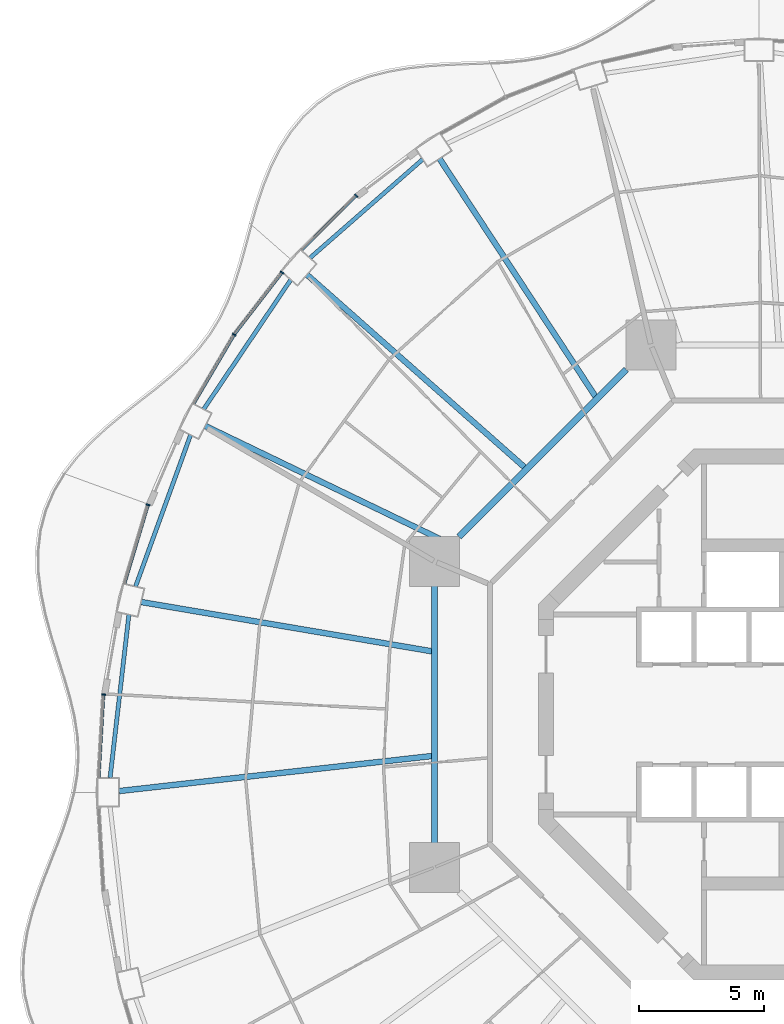
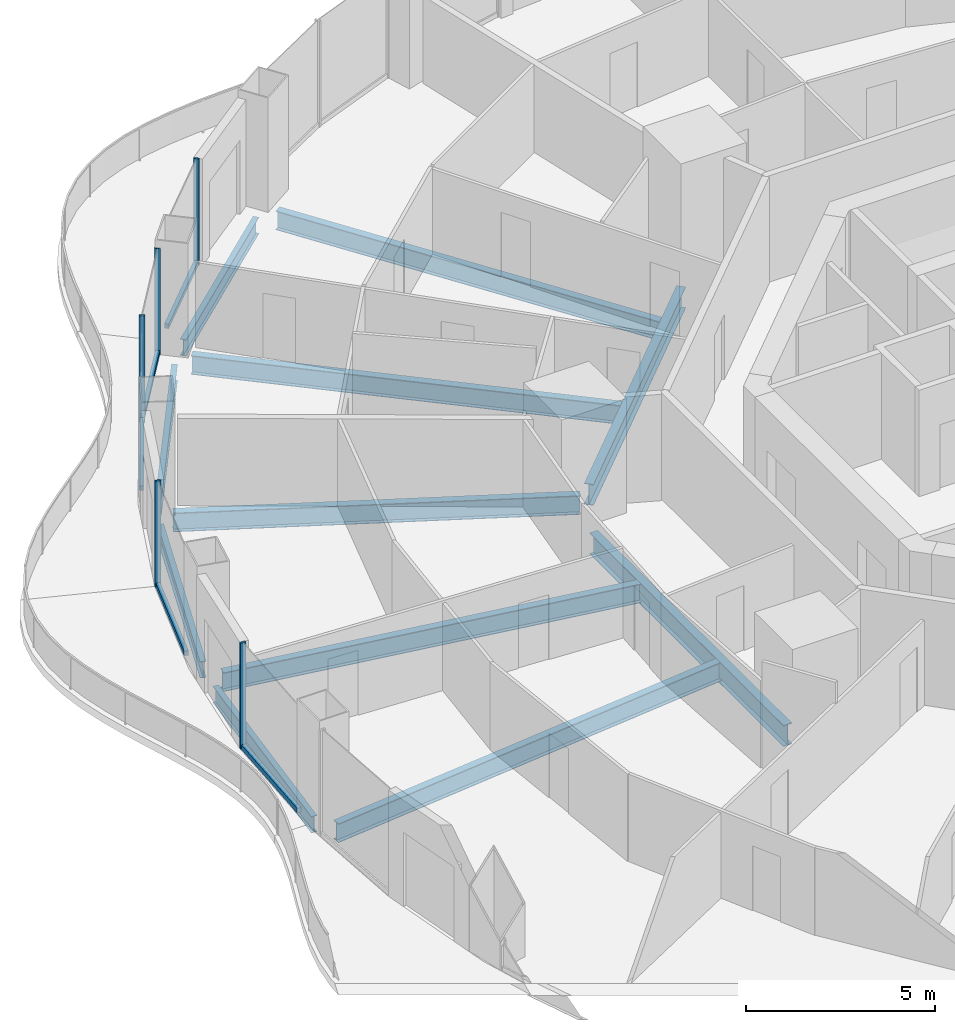
# One storey, part 7 of 21: 11 beams, 10 members, 5 elements without a shape of their own.
"""IFC4 building model written with IfcOpenShell, lengths in metres."""

from ifc_helpers import new_model, si_unit, direction, frame, origin, origin_2d, place, context, subcontext, project, spatial, rectangle, i_section, extrude, material, layer, layer_set, material_profile, profile_set, type_object, element, aggregate, save


model = new_model("IFC4")

# Units and contexts
model_context = context("Model", 3, precision=1e-05, world=origin(), true_north=direction((0.0, 1.0)))
body_context = subcontext(model_context, "Body", "Model", "MODEL_VIEW")
ifc_project = project(units=[si_unit("LENGTHUNIT", "METRE"), si_unit("AREAUNIT", "SQUARE_METRE"), si_unit("VOLUMEUNIT", "CUBIC_METRE"), si_unit("PLANEANGLEUNIT", "RADIAN"), si_unit("MASSUNIT", "GRAM", prefix="KILO")], contexts=[model_context])

# Site, building, storey
site_placement = place(None, origin())
site = spatial("IfcSite", under=ifc_project, at=site_placement, CompositionType="ELEMENT")
building_placement = place(site_placement, origin())
building = spatial("IfcBuilding", under=site, at=building_placement, Name="Nagisa Residences", CompositionType="ELEMENT")
storey_placement = place(building_placement, frame((0.0, 0.0, 138.10009765625)))
storey = spatial("IfcBuildingStorey", under=building, at=storey_placement, Name="L34", CompositionType="ELEMENT", Elevation=138.10009765625)

# Curtain wall, member
ifc_material_1 = material(Name="Concrete-coloured aluminium curtain wall system", Category="concrete")
ifc_layer = layer(ifc_material_1, 0.159912109375)
ifc_layer_set = layer_set([ifc_layer], Name="CW1 CURTAIN WALL")
curtain_wall_type = type_object("IfcCurtainWallType", Name="CW1 CURTAIN WALL", PredefinedType="NOTDEFINED", material=ifc_layer_set)
curtain_wall_1_placement = place(storey_placement, origin())
curtain_wall_1 = element("IfcCurtainWall", 1, at=curtain_wall_1_placement, inside=storey, type_object=curtain_wall_type, Name="cw:CW1:L34:17", PredefinedType="NOTDEFINED")
ifc_material_2 = material(Name="Concrete-coloured aluminium", Category="concrete")
ifc_material_profile_1 = material_profile(ifc_material_2, rectangle(XDim=0.159912109375, YDim=0.06005859375, at=origin_2d()), Name="CW1 MULLION 160x60")
ifc_profile_set_1 = profile_set([ifc_material_profile_1], Name="Concrete-coloured aluminium")
member_type_1 = type_object("IfcMemberType", Name="CW1 MULLION 160x60", PredefinedType="MULLION", material=ifc_profile_set_1)
member_1_placement = place(storey_placement, frame((-17.918212890625, 20.759765625, 0.0), z_axis=(0.0, 0.0, 1.0), x_axis=(0.706376885714, -0.707835924016, 0.0)))
member_1 = element("IfcMember", 2, at=member_1_placement, type_object=member_type_1, Name="CW1 mullion", PredefinedType="MULLION", context=body_context, shape_type="SweptSolid", body=[
    extrude(rectangle(XDim=0.159912109375, YDim=0.06005859375, at=origin_2d()), origin(), (0.0, 0.0, 1.0), 3.43994140625),
])

curtain_wall_2_placement = place(storey_placement, origin())
curtain_wall_2 = element("IfcCurtainWall", 3, at=curtain_wall_2_placement, inside=storey, type_object=curtain_wall_type, Name="cw:CW1:L34:18", PredefinedType="NOTDEFINED")
member_2_placement = place(storey_placement, frame((-20.88427734375, 17.685546875, 0.0), z_axis=(0.0, 0.0, 1.0), x_axis=(0.792070340816, -0.610429828235, 0.0)))
member_2 = element("IfcMember", 4, at=member_2_placement, type_object=member_type_1, Name="CW1 mullion", PredefinedType="MULLION", context=body_context, shape_type="SweptSolid", body=[
    extrude(rectangle(XDim=0.159912109375, YDim=0.06005859375, at=origin_2d()), origin(), (0.0, 0.0, 1.0), 3.43994140625),
])

curtain_wall_3_placement = place(storey_placement, origin())
curtain_wall_3 = element("IfcCurtainWall", 5, at=curtain_wall_3_placement, inside=storey, type_object=curtain_wall_type, Name="cw:CW1:L34:19", PredefinedType="NOTDEFINED")
member_3_placement = place(storey_placement, frame((-22.7978515625, 15.197509765625, 0.0), z_axis=(0.0, 0.0, 1.0), x_axis=(0.862328898214, -0.506348567002, 0.0)))
member_3 = element("IfcMember", 6, at=member_3_placement, type_object=member_type_1, Name="CW1 mullion", PredefinedType="MULLION", context=body_context, shape_type="SweptSolid", body=[
    extrude(rectangle(XDim=0.159912109375, YDim=0.06005859375, at=origin_2d()), origin(), (0.0, 0.0, 1.0), 3.43994140625),
])

curtain_wall_4_placement = place(storey_placement, origin())
curtain_wall_4 = element("IfcCurtainWall", 7, at=curtain_wall_4_placement, inside=storey, type_object=curtain_wall_type, Name="cw:CW1:L34:21", PredefinedType="NOTDEFINED")
member_4_placement = place(storey_placement, frame((-26.2470703125, 8.3857421875, 0.0), z_axis=(0.0, 0.0, 1.0), x_axis=(0.958271310082, -0.285860274038, 0.0)))
member_4 = element("IfcMember", 8, at=member_4_placement, type_object=member_type_1, Name="CW1 mullion", PredefinedType="MULLION", context=body_context, shape_type="SweptSolid", body=[
    extrude(rectangle(XDim=0.159912109375, YDim=0.06005859375, at=origin_2d()), origin(), (0.0, 0.0, 1.0), 3.43994140625),
])

curtain_wall_5_placement = place(storey_placement, origin())
curtain_wall_5 = element("IfcCurtainWall", 9, at=curtain_wall_5_placement, inside=storey, type_object=curtain_wall_type, Name="cw:CW1:L34:23", PredefinedType="NOTDEFINED")
member_5_placement = place(storey_placement, frame((-28.02978515625, 0.7890625, 0.0), z_axis=(0.0, 0.0, 1.0), x_axis=(0.998345305184, -0.057503492216, 0.0)))
member_5 = element("IfcMember", 10, at=member_5_placement, type_object=member_type_1, Name="CW1 mullion", PredefinedType="MULLION", context=body_context, shape_type="SweptSolid", body=[
    extrude(rectangle(XDim=0.159912109375, YDim=0.06005859375, at=origin_2d()), origin(), (0.0, 0.0, 1.0), 3.43994140625),
])

# Member
ifc_material_3 = material(Name="Concrete-coloured aluminium", Category="concrete")
ifc_material_profile_2 = material_profile(ifc_material_3, rectangle(XDim=0.1201171875, YDim=0.14990234375, at=origin_2d()), Name="CW1 TRANSOM 120x150")
ifc_profile_set_2 = profile_set([ifc_material_profile_2], Name="Concrete-coloured aluminium")
member_type_2 = type_object("IfcMemberType", Name="CW1 TRANSOM 120x150", PredefinedType="USERDEFINED", material=ifc_profile_set_2)
member_6_placement = place(storey_placement, frame((-17.89697265625, 20.781005859375, 0.074951171875), z_axis=(-0.707818274975, -0.706394570768, 0.0), x_axis=(0.706394570768, -0.707818274975, 0.0)))
member_6 = element("IfcMember", 11, at=member_6_placement, type_object=member_type_2, Name="CW1 transom", ObjectType="TRANSOM", PredefinedType="USERDEFINED", context=body_context, shape_type="SweptSolid", body=[
    extrude(rectangle(XDim=0.1201171875, YDim=0.14990234375, at=origin_2d()), origin(), (0.0, 0.0, 1.0), 3.086669921875),
])

aggregate(curtain_wall_1, [member_1, member_6])

member_7_placement = place(storey_placement, frame((-20.865966796875, 17.709228515625, 0.074951171875), z_axis=(-0.610467332273, -0.792041435928, 0.0), x_axis=(0.792041435928, -0.610467332273, 0.0)))
member_7 = element("IfcMember", 12, at=member_7_placement, type_object=member_type_2, Name="CW1 transom", ObjectType="TRANSOM", PredefinedType="USERDEFINED", context=body_context, shape_type="SweptSolid", body=[
    extrude(rectangle(XDim=0.1201171875, YDim=0.14990234375, at=origin_2d()), origin(), (0.0, 0.0, 1.0), 3.14892578125),
])

aggregate(curtain_wall_2, [member_2, member_7])

member_8_placement = place(storey_placement, frame((-22.78271484375, 15.223388671875, 0.074951171875), z_axis=(-0.506348207891, -0.86232910908, 0.0), x_axis=(0.86232910908, -0.506348207891, 0.0)))
member_8 = element("IfcMember", 13, at=member_8_placement, type_object=member_type_2, Name="CW1 transom", ObjectType="TRANSOM", PredefinedType="USERDEFINED", context=body_context, shape_type="SweptSolid", body=[
    extrude(rectangle(XDim=0.1201171875, YDim=0.14990234375, at=origin_2d()), origin(), (0.0, 0.0, 1.0), 3.208251953125),
])

aggregate(curtain_wall_3, [member_3, member_8])

member_9_placement = place(storey_placement, frame((-26.238525390625, 8.41455078125, 0.074951171875), z_axis=(-0.285842038783, -0.958276749621, 0.0), x_axis=(0.958276749621, -0.285842038783, 0.0)))
member_9 = element("IfcMember", 14, at=member_9_placement, type_object=member_type_2, Name="CW1 transom", ObjectType="TRANSOM", PredefinedType="USERDEFINED", context=body_context, shape_type="SweptSolid", body=[
    extrude(rectangle(XDim=0.1201171875, YDim=0.14990234375, at=origin_2d()), origin(), (0.0, 0.0, 1.0), 3.302734375),
])

aggregate(curtain_wall_4, [member_4, member_9])

member_10_placement = place(storey_placement, frame((-28.028076171875, 0.81884765625, 0.074951171875), z_axis=(-0.057542018726, -0.998343085357, 0.0), x_axis=(0.998343085357, -0.057542018726, 0.0)))
member_10 = element("IfcMember", 15, at=member_10_placement, type_object=member_type_2, Name="CW1 transom", ObjectType="TRANSOM", PredefinedType="USERDEFINED", context=body_context, shape_type="SweptSolid", body=[
    extrude(rectangle(XDim=0.1201171875, YDim=0.14990234375, at=origin_2d()), origin(), (0.0, 0.0, 1.0), 3.34765625),
])

aggregate(curtain_wall_5, [member_5, member_10])

# Beams
ifc_material_4 = material(Name="Steel ASTM A572 Gr 50", Category="steel")
ifc_material_profile_3 = material_profile(ifc_material_4, i_section(OverallWidth=0.25390625, OverallDepth=0.68408203125, WebThickness=0.012451171875, FlangeThickness=0.018798828125, at=origin_2d()), Name="W690x140")
ifc_profile_set_3 = profile_set([ifc_material_profile_3], Name="Steel ASTM A572 Gr 50")
beam_type_1 = type_object("IfcBeamType", Name="Inner ring beam W690x140", PredefinedType="BEAM", material=ifc_profile_set_3)
beam_1_placement = place(storey_placement, frame((-7.10888671875, 13.796142578125, -0.60205078125), z_axis=(-0.707106781187, -0.707106781187, 0.0), x_axis=(0.707106781187, -0.707106781187, 0.0)))
element("IfcBeam", 16, at=beam_1_placement, inside=storey, type_object=beam_type_1, Name="beam:L34:ib3", PredefinedType="BEAM", context=body_context, shape_type="SweptSolid", body=[
    extrude(i_section(OverallWidth=0.25390625, OverallDepth=0.68408203125, WebThickness=0.012451171875, FlangeThickness=0.018798828125, at=origin_2d()), origin(), (0.0, 0.0, 1.0), 9.457275390625),
])
beam_2_placement = place(storey_placement, frame((-14.781982421875, 5.142822265625, -0.60205078125), z_axis=(0.0, -1.0, 0.0), x_axis=(1.0, 0.0, 0.0)))
element("IfcBeam", 17, at=beam_2_placement, inside=storey, type_object=beam_type_1, Name="beam:L34:ib4", PredefinedType="BEAM", context=body_context, shape_type="SweptSolid", body=[
    extrude(i_section(OverallWidth=0.25390625, OverallDepth=0.68408203125, WebThickness=0.012451171875, FlangeThickness=0.018798828125, at=origin_2d()), origin(), (0.0, 0.0, 1.0), 10.28564453125),
])
ifc_material_5 = material(Name="Steel ASTM A572 Gr 50", Category="steel")
ifc_material_profile_4 = material_profile(ifc_material_5, i_section(OverallWidth=0.166015625, OverallDepth=0.534912109375, WebThickness=0.01025390625, FlangeThickness=0.0166015625, at=origin_2d()), Name="W530x85")
ifc_profile_set_4 = profile_set([ifc_material_profile_4], Name="Steel ASTM A572 Gr 50")
beam_type_2 = type_object("IfcBeamType", Name="Perimeter ring beam W530x85", PredefinedType="BEAM", material=ifc_profile_set_4)
beam_3_placement = place(storey_placement, frame((-15.25830078125, 22.213134765625, -0.527587890625), z_axis=(-0.752503526528, -0.658588219272, 0.0), x_axis=(0.658588219272, -0.752503526528, 0.0)))
element("IfcBeam", 18, at=beam_3_placement, inside=storey, type_object=beam_type_2, Name="beam:L34:pb09", PredefinedType="BEAM", context=body_context, shape_type="SweptSolid", body=[
    extrude(i_section(OverallWidth=0.166015625, OverallDepth=0.534912109375, WebThickness=0.01025390625, FlangeThickness=0.0166015625, at=origin_2d()), origin(), (0.0, 0.0, 1.0), 5.99462890625),
])
beam_4_placement = place(storey_placement, frame((-20.5361328125, 17.39453125, -0.527587890625), z_axis=(-0.558187951157, -0.82971453596, 0.0), x_axis=(0.82971453596, -0.558187951157, 0.0)))
element("IfcBeam", 19, at=beam_4_placement, inside=storey, type_object=beam_type_2, Name="beam:L34:pb10", PredefinedType="BEAM", context=body_context, shape_type="SweptSolid", body=[
    extrude(i_section(OverallWidth=0.166015625, OverallDepth=0.534912109375, WebThickness=0.01025390625, FlangeThickness=0.0166015625, at=origin_2d()), origin(), (0.0, 0.0, 1.0), 6.24267578125),
])
beam_5_placement = place(storey_placement, frame((-24.54638671875, 11.180419921875, -0.527587890625), z_axis=(-0.341366238276, -0.939930365168, 0.0), x_axis=(0.939930365168, -0.341366238276, 0.0)))
element("IfcBeam", 20, at=beam_5_placement, inside=storey, type_object=beam_type_2, Name="beam:L34:pb11", PredefinedType="BEAM", context=body_context, shape_type="SweptSolid", body=[
    extrude(i_section(OverallWidth=0.166015625, OverallDepth=0.534912109375, WebThickness=0.01025390625, FlangeThickness=0.0166015625, at=origin_2d()), origin(), (0.0, 0.0, 1.0), 6.450927734375),
])
beam_6_placement = place(storey_placement, frame((-27.014892578125, 3.98779296875, -0.527587890625), z_axis=(-0.114660786771, -0.993404703017, 0.0), x_axis=(0.993404703017, -0.114660786771, 0.0)))
element("IfcBeam", 21, at=beam_6_placement, inside=storey, type_object=beam_type_2, Name="beam:L34:pb12", PredefinedType="BEAM", context=body_context, shape_type="SweptSolid", body=[
    extrude(i_section(OverallWidth=0.166015625, OverallDepth=0.534912109375, WebThickness=0.01025390625, FlangeThickness=0.0166015625, at=origin_2d()), origin(), (0.0, 0.0, 1.0), 6.568603515625),
])
ifc_material_6 = material(Name="Steel ASTM A572 Gr 50", Category="steel")
ifc_material_profile_5 = material_profile(ifc_material_6, i_section(OverallWidth=0.22900390625, OverallDepth=0.612060546875, WebThickness=0.011962890625, FlangeThickness=0.01953125, at=origin_2d()), Name="W610x125")
ifc_profile_set_5 = profile_set([ifc_material_profile_5], Name="Steel ASTM A572 Gr 50")
beam_type_3 = type_object("IfcBeamType", Name="Radial beam W610x125", PredefinedType="BEAM", material=ifc_profile_set_5)
beam_7_placement = place(storey_placement, frame((-14.581787109375, 22.2392578125, -0.566162109375), z_axis=(0.548325250323, -0.836265161212, 0.0), x_axis=(0.836265161212, 0.548325250323, 0.0)))
element("IfcBeam", 22, at=beam_7_placement, inside=storey, type_object=beam_type_3, Name="beam:L34:rb09", PredefinedType="BEAM", context=body_context, shape_type="SweptSolid", body=[
    extrude(i_section(OverallWidth=0.22900390625, OverallDepth=0.612060546875, WebThickness=0.011962890625, FlangeThickness=0.01953125, at=origin_2d()), origin(), (0.0, 0.0, 1.0), 11.385498046875),
])
beam_8_placement = place(storey_placement, frame((-19.887451171875, 17.594970703125, -0.566162109375), z_axis=(0.7489549138, -0.662620960349, 0.0), x_axis=(0.662620960349, 0.7489549138, 0.0)))
element("IfcBeam", 23, at=beam_8_placement, inside=storey, type_object=beam_type_3, Name="beam:L34:rb10", PredefinedType="BEAM", context=body_context, shape_type="SweptSolid", body=[
    extrude(i_section(OverallWidth=0.22900390625, OverallDepth=0.612060546875, WebThickness=0.011962890625, FlangeThickness=0.01953125, at=origin_2d()), origin(), (0.0, 0.0, 1.0), 11.63671875),
])
beam_9_placement = place(storey_placement, frame((-23.95947265625, 11.543212890625, -0.566162109375), z_axis=(0.900896469051, -0.434034044808, 0.0), x_axis=(0.434034044808, 0.900896469051, 0.0)))
element("IfcBeam", 24, at=beam_9_placement, inside=storey, type_object=beam_type_3, Name="beam:L34:rb11", PredefinedType="BEAM", context=body_context, shape_type="SweptSolid", body=[
    extrude(i_section(OverallWidth=0.22900390625, OverallDepth=0.612060546875, WebThickness=0.011962890625, FlangeThickness=0.01953125, at=origin_2d()), origin(), (0.0, 0.0, 1.0), 10.820556640625),
])
beam_10_placement = place(storey_placement, frame((-26.52294921875, 4.495849609375, -0.566162109375), z_axis=(0.985936650852, -0.167119479737, 0.0), x_axis=(0.167119479737, 0.985936650852, 0.0)))
element("IfcBeam", 25, at=beam_10_placement, inside=storey, type_object=beam_type_3, Name="beam:L34:rb12", PredefinedType="BEAM", context=body_context, shape_type="SweptSolid", body=[
    extrude(i_section(OverallWidth=0.22900390625, OverallDepth=0.612060546875, WebThickness=0.011962890625, FlangeThickness=0.01953125, at=origin_2d()), origin(), (0.0, 0.0, 1.0), 11.799560546875),
])
beam_11_placement = place(storey_placement, frame((-27.40478515625, -3.069580078125, -0.566162109375), z_axis=(0.993785470482, 0.111312347291, 0.0), x_axis=(-0.111312347291, 0.993785470482, 0.0)))
element("IfcBeam", 26, at=beam_11_placement, inside=storey, type_object=beam_type_3, Name="beam:L34:rb13", PredefinedType="BEAM", context=body_context, shape_type="SweptSolid", body=[
    extrude(i_section(OverallWidth=0.22900390625, OverallDepth=0.612060546875, WebThickness=0.011962890625, FlangeThickness=0.01953125, at=origin_2d()), origin(), (0.0, 0.0, 1.0), 12.593994140625),
])

save(model, "model.ifc")
